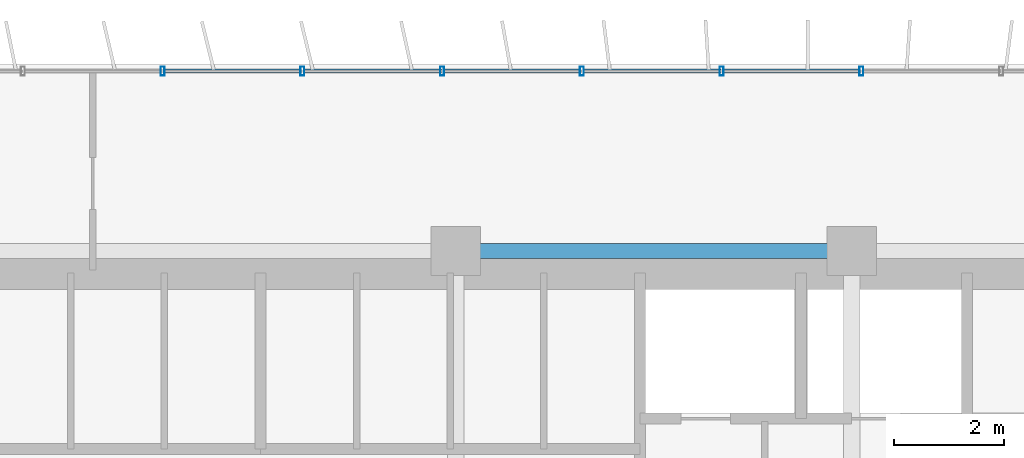
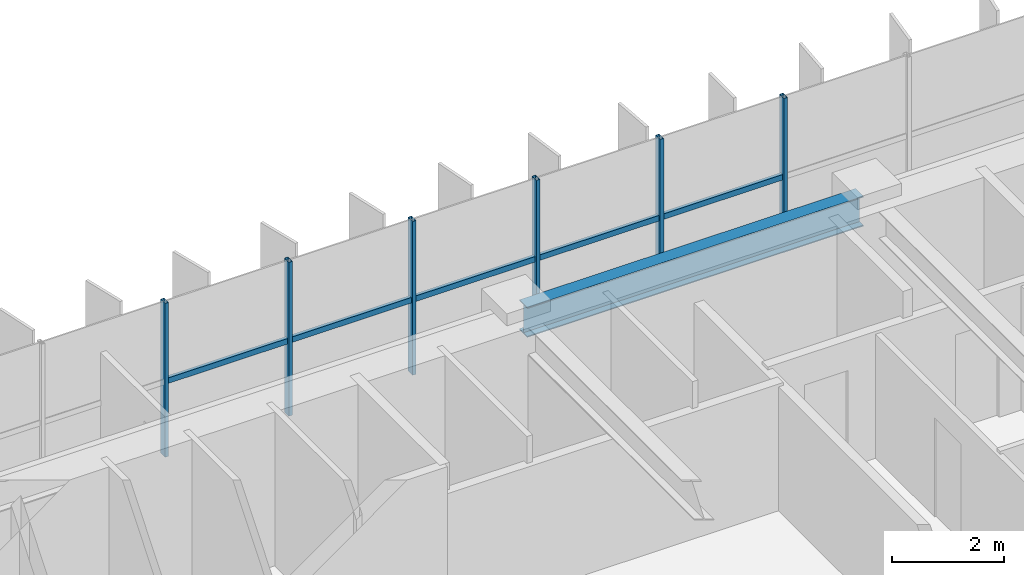
# One storey, part 10 of 21: 11 members, 1 beam, 1 element without a shape of its own.
"""IFC4 building model written with IfcOpenShell, lengths in metres."""

from ifc_helpers import new_model, si_unit, direction, frame, origin, origin_2d, place, context, subcontext, project, spatial, hollow_rectangle, i_section, extrude, source, transform, mapped, material, material_profile, profile_set, type_object, element, aggregate, save


model = new_model("IFC4")

# Units and contexts
model_context = context("Model", 3, precision=1e-05, world=origin(), true_north=direction((0.0, 1.0)))
body_context = subcontext(model_context, "Body", "Model", "MODEL_VIEW")
ifc_project = project(units=[si_unit("LENGTHUNIT", "METRE"), si_unit("AREAUNIT", "SQUARE_METRE"), si_unit("VOLUMEUNIT", "CUBIC_METRE"), si_unit("PLANEANGLEUNIT", "RADIAN"), si_unit("MASSUNIT", "GRAM", prefix="KILO")], contexts=[model_context])

# Site, building, storey
site_placement = place(None, origin())
site = spatial("IfcSite", under=ifc_project, at=site_placement, CompositionType="ELEMENT")
building_placement = place(site_placement, origin())
building = spatial("IfcBuilding", under=site, at=building_placement, Name="Trelvane Seafront Commons", CompositionType="ELEMENT")
storey_placement = place(building_placement, frame((0.0, 0.0, 41.5)))
storey = spatial("IfcBuildingStorey", under=building, at=storey_placement, Name="L10", CompositionType="ELEMENT", Elevation=41.5)

# Beam
ifc_material_1 = material(Name="Steel SM355 (S355)", Category="steel")
ifc_material_profile_1 = material_profile(ifc_material_1, i_section(OverallWidth=0.280029296875, OverallDepth=0.64990234375, WebThickness=0.012939453125, FlangeThickness=0.02197265625, at=origin_2d()), Name="H-650x280x13x22")
ifc_profile_set_1 = profile_set([ifc_material_profile_1], Name="Steel SM355 (S355)")
beam_type = type_object("IfcBeamType", Name="STR-BM-H650", PredefinedType="BEAM", material=ifc_profile_set_1)
shared_shape_1 = source(origin(), body_context, "Body", "SweptSolid", [
    extrude(i_section(OverallWidth=0.280029296875, OverallDepth=0.64990234375, WebThickness=0.012939453125, FlangeThickness=0.02197265625, at=origin_2d()), origin(), (0.0, 0.0, 1.0), 6.900146484375),
])
beam_placement = place(storey_placement, frame((43.949951171875, 45.10009765625, 3.014892578125), z_axis=(1.0, 0.0, 0.0), x_axis=(0.0, 1.0, 0.0)))
element("IfcBeam", 1, at=beam_placement, inside=storey, type_object=beam_type, Name="L10 Primary Girder G-33", PredefinedType="BEAM", context=body_context, shape_type="MappedRepresentation", body=[
    mapped(shared_shape_1, transform((0.0, 0.0, 0.0), x_axis=(1.0, 0.0, 0.0), y_axis=(0.0, 1.0, 0.0), z_axis=(0.0, 0.0, 1.0), scale=1.0)),
])

# Curtain wall, members
ifc_material_2 = material(Name="Anodised pale-silver aluminium", Category="aluminium")
curtain_wall_type = type_object("IfcCurtainWallType", Name="ARCH-CW2-LOWTOWER", PredefinedType="NOTDEFINED", material=ifc_material_2)
curtain_wall_placement = place(storey_placement, origin())
curtain_wall = element("IfcCurtainWall", 2, at=curtain_wall_placement, inside=storey, type_object=curtain_wall_type, Name="CW-L10-0034", PredefinedType="NOTDEFINED")
ifc_material_profile_2 = material_profile(ifc_material_2, hollow_rectangle(XDim=0.074951171875, YDim=0.159912109375, WallThickness=0.00390625, at=origin_2d()), Name="MULL-75x160x4")
ifc_profile_set_2 = profile_set([ifc_material_profile_2], Name="Anodised pale-silver aluminium")
member_type_1 = type_object("IfcMemberType", Name="ARCH-CW-MULL-160", PredefinedType="MULLION", material=ifc_profile_set_2)
shared_shape_2 = source(origin(), body_context, "Body", "SweptSolid", [
    extrude(hollow_rectangle(XDim=0.074951171875, YDim=0.159912109375, WallThickness=0.00390625, at=origin_2d()), origin(), (0.0, 0.0, 1.0), 3.340087890625),
])
member_1_placement = place(storey_placement, frame((38.470703125, 48.3701171875, 0.0), z_axis=(0.0, 0.0, 1.0), x_axis=(1.0, 0.0, 0.0)))
member_1 = element("IfcMember", 3, at=member_1_placement, type_object=member_type_1, Name="CW-L10-0034-M09", PredefinedType="MULLION", context=body_context, shape_type="MappedRepresentation", body=[
    mapped(shared_shape_2, transform((0.0, 0.0, 0.0), x_axis=(1.0, 0.0, 0.0), y_axis=(0.0, 1.0, 0.0), z_axis=(0.0, 0.0, 1.0), scale=1.0)),
])
member_2_placement = place(storey_placement, frame((41.01171875, 48.3701171875, 0.0), z_axis=(0.0, 0.0, 1.0), x_axis=(1.0, 0.0, 0.0)))
member_2 = element("IfcMember", 4, at=member_2_placement, type_object=member_type_1, Name="CW-L10-0034-M10", PredefinedType="MULLION", context=body_context, shape_type="MappedRepresentation", body=[
    mapped(shared_shape_2, transform((0.0, 0.0, 0.0), x_axis=(1.0, 0.0, 0.0), y_axis=(0.0, 1.0, 0.0), z_axis=(0.0, 0.0, 1.0), scale=1.0)),
])
member_3_placement = place(storey_placement, frame((43.552978515625, 48.3701171875, 0.0), z_axis=(0.0, 0.0, 1.0), x_axis=(1.0, 0.0, 0.0)))
member_3 = element("IfcMember", 5, at=member_3_placement, type_object=member_type_1, Name="CW-L10-0034-M11", PredefinedType="MULLION", context=body_context, shape_type="MappedRepresentation", body=[
    mapped(shared_shape_2, transform((0.0, 0.0, 0.0), x_axis=(1.0, 0.0, 0.0), y_axis=(0.0, 1.0, 0.0), z_axis=(0.0, 0.0, 1.0), scale=1.0)),
])
member_4_placement = place(storey_placement, frame((46.093994140625, 48.3701171875, 0.0), z_axis=(0.0, 0.0, 1.0), x_axis=(1.0, 0.0, 0.0)))
member_4 = element("IfcMember", 6, at=member_4_placement, type_object=member_type_1, Name="CW-L10-0034-M12", PredefinedType="MULLION", context=body_context, shape_type="MappedRepresentation", body=[
    mapped(shared_shape_2, transform((0.0, 0.0, 0.0), x_axis=(1.0, 0.0, 0.0), y_axis=(0.0, 1.0, 0.0), z_axis=(0.0, 0.0, 1.0), scale=1.0)),
])
member_5_placement = place(storey_placement, frame((48.63525390625, 48.3701171875, 0.0), z_axis=(0.0, 0.0, 1.0), x_axis=(1.0, 0.0, 0.0)))
member_5 = element("IfcMember", 7, at=member_5_placement, type_object=member_type_1, Name="CW-L10-0034-M13", PredefinedType="MULLION", context=body_context, shape_type="MappedRepresentation", body=[
    mapped(shared_shape_2, transform((0.0, 0.0, 0.0), x_axis=(1.0, 0.0, 0.0), y_axis=(0.0, 1.0, 0.0), z_axis=(0.0, 0.0, 1.0), scale=1.0)),
])
member_6_placement = place(storey_placement, frame((51.176513671875, 48.3701171875, 0.0), z_axis=(0.0, 0.0, 1.0), x_axis=(1.0, 0.0, 0.0)))
member_6 = element("IfcMember", 8, at=member_6_placement, type_object=member_type_1, Name="CW-L10-0034-M14", PredefinedType="MULLION", context=body_context, shape_type="MappedRepresentation", body=[
    mapped(shared_shape_2, transform((0.0, 0.0, 0.0), x_axis=(1.0, 0.0, 0.0), y_axis=(0.0, 1.0, 0.0), z_axis=(0.0, 0.0, 1.0), scale=1.0)),
])
ifc_material_profile_3 = material_profile(ifc_material_2, hollow_rectangle(XDim=0.070068359375, YDim=0.1201171875, WallThickness=0.00390625, at=origin_2d()), Name="TRAN-70x120x4")
ifc_profile_set_3 = profile_set([ifc_material_profile_3], Name="Anodised pale-silver aluminium")
member_type_2 = type_object("IfcMemberType", Name="ARCH-CW-TRAN-120", PredefinedType="USERDEFINED", material=ifc_profile_set_3)
shared_shape_3 = source(origin(), body_context, "Body", "SweptSolid", [
    extrude(hollow_rectangle(XDim=0.070068359375, YDim=0.1201171875, WallThickness=0.00390625, at=origin_2d()), origin(), (0.0, 0.0, 1.0), 2.51708984375),
])
member_7_placement = place(storey_placement, frame((38.482666015625, 48.3701171875, 1.60302734375), z_axis=(1.0, 0.0, 0.0), x_axis=(0.0, 1.0, 0.0)))
member_7 = element("IfcMember", 9, at=member_7_placement, type_object=member_type_2, Name="CW-L10-0034-T09", ObjectType="TRANSOM", PredefinedType="USERDEFINED", context=body_context, shape_type="MappedRepresentation", body=[
    mapped(shared_shape_3, transform((0.0, 0.0, 0.0), x_axis=(1.0, 0.0, 0.0), y_axis=(0.0, 1.0, 0.0), z_axis=(0.0, 0.0, 1.0), scale=1.0)),
])
member_8_placement = place(storey_placement, frame((43.56494140625, 48.3701171875, 1.60302734375), z_axis=(1.0, 0.0, 0.0), x_axis=(0.0, 1.0, 0.0)))
member_8 = element("IfcMember", 10, at=member_8_placement, type_object=member_type_2, Name="CW-L10-0034-T11", ObjectType="TRANSOM", PredefinedType="USERDEFINED", context=body_context, shape_type="MappedRepresentation", body=[
    mapped(shared_shape_3, transform((0.0, 0.0, 0.0), x_axis=(1.0, 0.0, 0.0), y_axis=(0.0, 1.0, 0.0), z_axis=(0.0, 0.0, 1.0), scale=1.0)),
])
member_9_placement = place(storey_placement, frame((46.106201171875, 48.3701171875, 1.60302734375), z_axis=(1.0, 0.0, 0.0), x_axis=(0.0, 1.0, 0.0)))
member_9 = element("IfcMember", 11, at=member_9_placement, type_object=member_type_2, Name="CW-L10-0034-T12", ObjectType="TRANSOM", PredefinedType="USERDEFINED", context=body_context, shape_type="MappedRepresentation", body=[
    mapped(shared_shape_3, transform((0.0, 0.0, 0.0), x_axis=(1.0, 0.0, 0.0), y_axis=(0.0, 1.0, 0.0), z_axis=(0.0, 0.0, 1.0), scale=1.0)),
])
shared_shape_4 = source(origin(), body_context, "Body", "SweptSolid", [
    extrude(hollow_rectangle(XDim=0.070068359375, YDim=0.1201171875, WallThickness=0.00390625, at=origin_2d()), origin(), (0.0, 0.0, 1.0), 2.517333984375),
])
member_10_placement = place(storey_placement, frame((41.023681640625, 48.3701171875, 1.60302734375), z_axis=(1.0, 0.0, 0.0), x_axis=(0.0, 1.0, 0.0)))
member_10 = element("IfcMember", 12, at=member_10_placement, type_object=member_type_2, Name="CW-L10-0034-T10", ObjectType="TRANSOM", PredefinedType="USERDEFINED", context=body_context, shape_type="MappedRepresentation", body=[
    mapped(shared_shape_4, transform((0.0, 0.0, 0.0), x_axis=(1.0, 0.0, 0.0), y_axis=(0.0, 1.0, 0.0), z_axis=(0.0, 0.0, 1.0), scale=1.0)),
])
member_11_placement = place(storey_placement, frame((48.647216796875, 48.3701171875, 1.60302734375), z_axis=(1.0, 0.0, 0.0), x_axis=(0.0, 1.0, 0.0)))
member_11 = element("IfcMember", 13, at=member_11_placement, type_object=member_type_2, Name="CW-L10-0034-T13", ObjectType="TRANSOM", PredefinedType="USERDEFINED", context=body_context, shape_type="MappedRepresentation", body=[
    mapped(shared_shape_4, transform((0.0, 0.0, 0.0), x_axis=(1.0, 0.0, 0.0), y_axis=(0.0, 1.0, 0.0), z_axis=(0.0, 0.0, 1.0), scale=1.0)),
])
aggregate(curtain_wall, [member_1, member_2, member_3, member_4, member_5, member_6, member_7, member_10, member_8, member_9, member_11])

save(model, "model.ifc")
